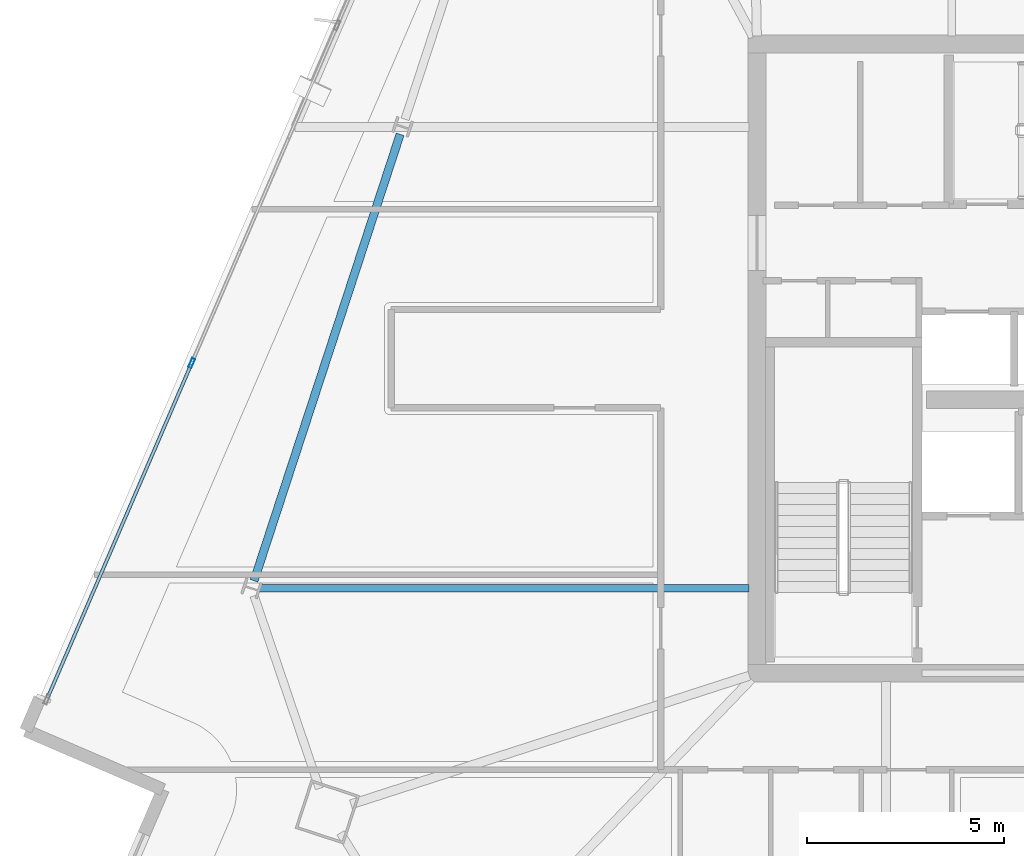
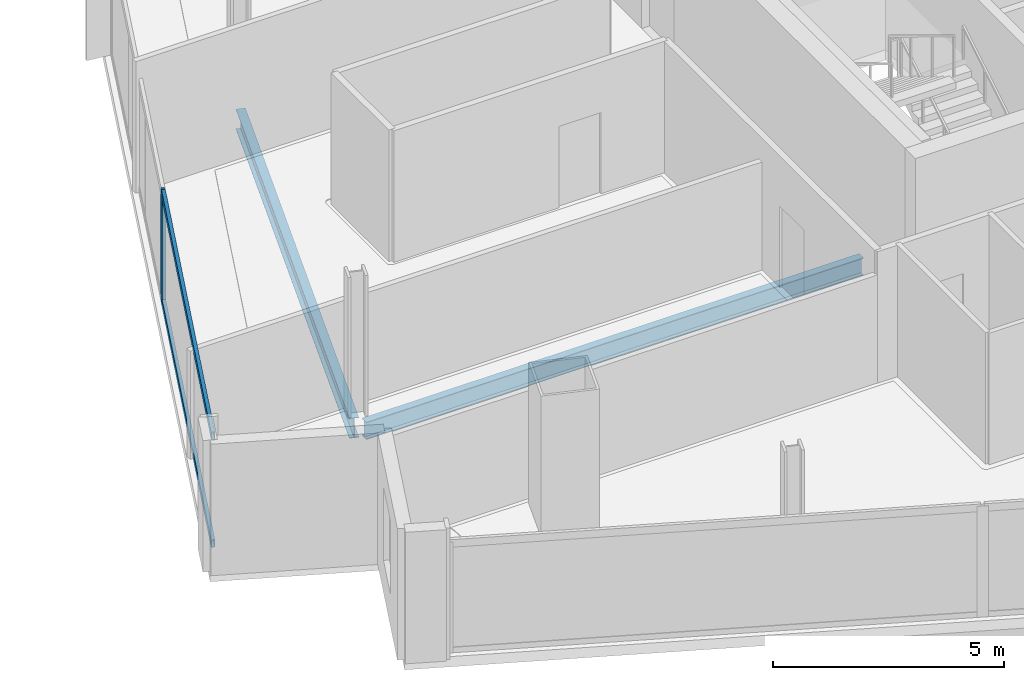
# One storey, part 6 of 28: 3 members, 2 beams, 1 element without a shape of its own.
"""IFC4 building model written with IfcOpenShell, lengths in metres."""

import ifcopenshell
import ifcopenshell.guid

model = None  # the IFC model being written
_history = None  # IfcOwnerHistory: only IFC2X3 demands one
_inside = {}  # id of a spatial element -> (the spatial element, [elements in it])
_under = {}  # id of a project, library or spatial element -> (it, [spatial elements below it])
_declared = {}  # id of a project -> (the project, [libraries it declares])
_typed = {}  # id of a type object -> (the type object, [elements of that type])
_made_of = {}  # id of a material, layer set ... -> (it, [elements and type objects made of it])


def new_model(schema):
    """Start an empty IFC model of exactly this schema.

    Asked for "IFC4X3", IfcOpenShell would pick the latest addendum, in which some entities
    have other attributes; the version numbers below select the first issue.
    IFC2X3 requires an IfcOwnerHistory on every rooted entity: one is made here for all.
    """
    global model, _history
    if schema == "IFC4X3":
        model = ifcopenshell.file(schema_version=(4, 3, 0, 0))
    else:
        model = ifcopenshell.file(schema=schema)
    _inside.clear()
    _under.clear()
    _declared.clear()
    _typed.clear()
    _made_of.clear()
    _history = None
    if model.schema == "IFC2X3":
        org = make("IfcOrganization", Name="unknown")
        user = make(
            "IfcPersonAndOrganization",
            ThePerson=make("IfcPerson", FamilyName="unknown"),
            TheOrganization=org,
        )
        app = make(
            "IfcApplication",
            ApplicationDeveloper=org,
            Version="unknown",
            ApplicationFullName="unknown",
            ApplicationIdentifier="unknown",
        )
        _history = make(
            "IfcOwnerHistory",
            OwningUser=user,
            OwningApplication=app,
            ChangeAction="ADDED",
            CreationDate=0,
        )
    return model


def make(cls, **values):
    """One entity of the class cls with the attributes given. An attribute that is None is left unset."""
    return model.create_entity(
        cls, **{name: value for name, value in values.items() if value is not None}
    )


def rooted(cls, **values):
    """An entity with a GlobalId (a new one), such as an element, a storey or a relation."""
    return make(cls, GlobalId=ifcopenshell.guid.new(), OwnerHistory=_history, **values)


def si_unit(unit_type, name, prefix=None):
    """IfcSIUnit, for example si_unit("LENGTHUNIT", "METRE", prefix="MILLI")."""
    return make("IfcSIUnit", UnitType=unit_type, Prefix=prefix, Name=name)


def assignment(units):
    """IfcUnitAssignment: the units of a project."""
    return None if units is None else make("IfcUnitAssignment", Units=units)


def point(xyz):
    """IfcCartesianPoint."""
    return None if xyz is None else make("IfcCartesianPoint", Coordinates=xyz)


def direction(xyz):
    """IfcDirection."""
    return None if xyz is None else make("IfcDirection", DirectionRatios=xyz)


def frame(location, z_axis=None, x_axis=None):
    """IfcAxis2Placement3D, a coordinate frame: its origin and axes. An axis left out is left unset."""
    return make(
        "IfcAxis2Placement3D",
        Location=point(location),
        Axis=direction(z_axis),
        RefDirection=direction(x_axis),
    )


def frame_2d(location, x_axis=None):
    """IfcAxis2Placement2D, a coordinate frame in the plane: its origin and x axis."""
    return make(
        "IfcAxis2Placement2D", Location=point(location), RefDirection=direction(x_axis)
    )


def origin():
    """The frame at (0, 0, 0) with its axes left unset."""
    return frame((0.0, 0.0, 0.0))


def origin_2d():
    """The frame at (0, 0) in the plane with its x axis left unset."""
    return frame_2d((0.0, 0.0))


def place(relative_to, where):
    """IfcLocalPlacement: puts the frame where relative to a parent placement (None: the world)."""
    return make(
        "IfcLocalPlacement", PlacementRelTo=relative_to, RelativePlacement=where
    )


def context(
    kind, dimensions, precision=None, world=None, true_north=None, identifier=None
):
    """IfcGeometricRepresentationContext, for example the 3D "Model" context."""
    return make(
        "IfcGeometricRepresentationContext",
        ContextIdentifier=identifier,
        ContextType=kind,
        CoordinateSpaceDimension=dimensions,
        Precision=precision,
        WorldCoordinateSystem=world,
        TrueNorth=true_north,
    )


def subcontext(parent, identifier, kind, view, scale=None):
    """IfcGeometricRepresentationSubContext, for example "Body" below "Model"."""
    return make(
        "IfcGeometricRepresentationSubContext",
        ContextIdentifier=identifier,
        ContextType=kind,
        ParentContext=parent,
        TargetScale=scale,
        TargetView=view,
    )


def project(units=None, contexts=None):
    """IfcProject with its units and contexts."""
    return rooted(
        "IfcProject",
        Name="project",
        RepresentationContexts=contexts,
        UnitsInContext=assignment(units),
    )


def spatial(cls, under=None, at=None, **own):
    """A site, building, storey or space (cls), placed at a placement, below another one or the project."""
    s = rooted(cls, ObjectPlacement=at, **own)
    if under is not None:
        _under.setdefault(under.id(), (under, []))[1].append(s)
    return s


def profile(cls, at=None, kind="AREA", **sizes):
    """A parametric profile (cls). Its sizes go by their IFC names, for example OverallWidth=200.0."""
    return make(cls, ProfileType=kind, Position=at, **sizes)


def hollow_rectangle(**sizes):
    """IfcRectangleHollowProfileDef."""
    return profile("IfcRectangleHollowProfileDef", **sizes)


def i_section(**sizes):
    """IfcIShapeProfileDef."""
    return profile("IfcIShapeProfileDef", **sizes)


def extrude(swept, where, along, depth):
    """IfcExtrudedAreaSolid: the profile swept, set in the frame where, extruded along a direction by depth."""
    return make(
        "IfcExtrudedAreaSolid",
        SweptArea=swept,
        Position=where,
        ExtrudedDirection=direction(along),
        Depth=depth,
    )


def shape(context_of_items, identifier, shape_type, items):
    """IfcShapeRepresentation: the items that make up one representation, for example the "Body"."""
    return make(
        "IfcShapeRepresentation",
        ContextOfItems=context_of_items,
        RepresentationIdentifier=identifier,
        RepresentationType=shape_type,
        Items=items,
    )


def material(Name=None, Category=None):
    """IfcMaterial."""
    return make("IfcMaterial", Name=Name, Category=Category)


def material_profile(
    of_material, cross_section, Name=None, Category=None, Priority=None
):
    """IfcMaterialProfile: a cross section and its material."""
    return make(
        "IfcMaterialProfile",
        Name=Name,
        Material=of_material,
        Profile=cross_section,
        Priority=Priority,
        Category=Category,
    )


def profile_set(profiles, Name=None, composite=None):
    """IfcMaterialProfileSet."""
    return make(
        "IfcMaterialProfileSet",
        Name=Name,
        MaterialProfiles=profiles,
        CompositeProfile=composite,
    )


def made_of(thing, what):
    """Note that an element or type object is made of a material, layer set ...; save() writes the relation."""
    if what is not None:
        _made_of.setdefault(what.id(), (what, []))[1].append(thing)
    return thing


def type_object(cls, material=None, **own):
    """A type object (cls), such as IfcWallType, which elements share."""
    return made_of(rooted(cls, **own), material)


def element(
    cls,
    number,
    at=None,
    inside=None,
    cuts=None,
    type_object=None,
    material=None,
    context=None,
    identifier="Body",
    shape_type=None,
    held_by="IfcProductDefinitionShape",
    body=None,
    shapes=None,
    **own,
):
    """One element of the class cls, such as IfcWall. Its Tag is "e" and its number.

    at: its placement. inside: the storey or other place that contains it. cuts: it is an
    opening in that element (IfcRelVoidsElement). A single representation is given by context,
    identifier, shape_type and body (its items); several are given by shapes. held_by: the class
    of the entity that holds the representations. save() writes the other relations.
    """
    e = rooted(cls, Tag="e%d" % number, ObjectPlacement=at, **own)
    if body is not None:
        shapes = [shape(context, identifier, shape_type, body)]
    if shapes is not None:
        e.Representation = make(held_by, Representations=shapes)
    if inside is not None:
        _inside.setdefault(inside.id(), (inside, []))[1].append(e)
    if cuts is not None:
        rooted(
            "IfcRelVoidsElement", RelatingBuildingElement=cuts, RelatedOpeningElement=e
        )
    if type_object is not None:
        _typed.setdefault(type_object.id(), (type_object, []))[1].append(e)
    return made_of(e, material)


def aggregate(whole, parts):
    """IfcRelAggregates: a whole, such as a stair, and the parts it consists of."""
    return rooted("IfcRelAggregates", RelatingObject=whole, RelatedObjects=parts)


def save(model, path):
    """Write the relations noted so far, then the file.

    IfcRelAggregates (storeys below a building ...), IfcRelContainedInSpatialStructure (elements
    in a storey), IfcRelDefinesByType, IfcRelAssociatesMaterial and IfcRelDeclares: one each for
    every whole, place, type object, material and project.
    """
    for whole, parts in _under.values():
        aggregate(whole, parts)
    for where, things in _inside.values():
        rooted(
            "IfcRelContainedInSpatialStructure",
            RelatedElements=things,
            RelatingStructure=where,
        )
    for kind, things in _typed.values():
        rooted("IfcRelDefinesByType", RelatedObjects=things, RelatingType=kind)
    for what, things in _made_of.values():
        rooted("IfcRelAssociatesMaterial", RelatedObjects=things, RelatingMaterial=what)
    for by, libraries in _declared.values():
        rooted("IfcRelDeclares", RelatingContext=by, RelatedDefinitions=libraries)
    model.write(path)


model = new_model("IFC4")

# Units and contexts
model_context = context("Model", 3, precision=1e-05, world=origin(), true_north=direction((0.0, 1.0)))
body_context = subcontext(model_context, "Body", "Model", "MODEL_VIEW")
ifc_project = project(units=[si_unit("LENGTHUNIT", "METRE"), si_unit("AREAUNIT", "SQUARE_METRE"), si_unit("VOLUMEUNIT", "CUBIC_METRE"), si_unit("PLANEANGLEUNIT", "RADIAN"), si_unit("MASSUNIT", "GRAM", prefix="KILO")], contexts=[model_context])

# Site, building, storey
site_placement = place(None, origin())
site = spatial("IfcSite", under=ifc_project, at=site_placement, CompositionType="ELEMENT")
building_placement = place(site_placement, origin())
building = spatial("IfcBuilding", under=site, at=building_placement, Name="Haldenkirk Collegiate Tower", CompositionType="ELEMENT")
storey_placement = place(building_placement, frame((0.0, 0.0, 252.449951171875)))
storey = spatial("IfcBuildingStorey", under=building, at=storey_placement, Name="L63", CompositionType="ELEMENT", Elevation=252.449951171875)

# Beams
ifc_material_1 = material(Name="Steel ASTM A992 Grade 50", Category="steel")
ifc_material_profile_1 = material_profile(ifc_material_1, i_section(OverallWidth=0.18994140625, OverallDepth=0.45703125, WebThickness=0.009033203125, FlangeThickness=0.014404296875, at=origin_2d()), Name="W18X50")
ifc_profile_set_1 = profile_set([ifc_material_profile_1], Name="Steel ASTM A992 Grade 50")
beam_type_1 = type_object("IfcBeamType", Name="BM-JOIST-W18X50", PredefinedType="JOIST", material=ifc_profile_set_1)
beam_1_placement = place(storey_placement, frame((14.35205078125, 20.157958984375, -0.49853515625), z_axis=(1.0, 0.0, 0.0), x_axis=(0.0, 1.0, 0.0)))
element("IfcBeam", 1, at=beam_1_placement, inside=storey, type_object=beam_type_1, Name="L63 composite floor joist 13", PredefinedType="JOIST", context=body_context, shape_type="SweptSolid", body=[
    extrude(i_section(OverallWidth=0.18994140625, OverallDepth=0.45703125, WebThickness=0.009033203125, FlangeThickness=0.014404296875, at=origin_2d()), origin(), (0.0, 0.0, 1.0), 12.44287109375),
])
ifc_material_profile_2 = material_profile(ifc_material_1, i_section(OverallWidth=0.2099609375, OverallDepth=0.537109375, WebThickness=0.010986328125, FlangeThickness=0.017333984375, at=origin_2d()), Name="W21X68")
ifc_profile_set_2 = profile_set([ifc_material_profile_2], Name="Steel ASTM A992 Grade 50")
beam_type_2 = type_object("IfcBeamType", Name="BM-SPANDREL-W21X68", PredefinedType="SPANDREL", material=ifc_profile_set_2)
beam_2_placement = place(storey_placement, frame((17.9267578125, 31.701171875, -0.538330078125), z_axis=(-0.311010188249, -0.950406577631, 0.0), x_axis=(0.950406577631, -0.311010188249, 0.0)))
element("IfcBeam", 2, at=beam_2_placement, inside=storey, type_object=beam_type_2, Name="L63 perimeter spandrel beam 11", PredefinedType="SPANDREL", context=body_context, shape_type="SweptSolid", body=[
    extrude(i_section(OverallWidth=0.2099609375, OverallDepth=0.537109375, WebThickness=0.010986328125, FlangeThickness=0.017333984375, at=origin_2d()), origin(), (0.0, 0.0, 1.0), 11.94287109375),
])

# Curtain wall, members
ifc_material_2 = material(Name="Anodised architectural bronze aluminium", Category="aluminium")
curtain_wall_type = type_object("IfcCurtainWallType", Name="CW-SYS1B-CONVEX-HI", PredefinedType="USERDEFINED", material=ifc_material_2)
curtain_wall_placement = place(storey_placement, origin())
curtain_wall = element("IfcCurtainWall", 3, at=curtain_wall_placement, inside=storey, type_object=curtain_wall_type, Name="L63 Upper tower high-wind convex bronze unitised curtain wall", ObjectType="UNITISED CURTAIN WALL", PredefinedType="USERDEFINED")
ifc_material_profile_3 = material_profile(ifc_material_2, hollow_rectangle(XDim=0.0849609375, YDim=0.25, WallThickness=0.0048828125, at=origin_2d()), Name="CW-MUL-1B")
ifc_profile_set_3 = profile_set([ifc_material_profile_3], Name="Anodised architectural bronze aluminium")
member_type_1 = type_object("IfcMemberType", Name="CW-MUL-1B", PredefinedType="MULLION", material=ifc_profile_set_3)
member_1_placement = place(storey_placement, frame((12.628662109375, 25.885009765625, 0.0), z_axis=(0.0, 0.0, 1.0), x_axis=(-0.918446421115, 0.395545410215, 0.0)))
member_1 = element("IfcMember", 4, at=member_1_placement, type_object=member_type_1, Name="CW-1B mullion 2", PredefinedType="MULLION", context=body_context, shape_type="SweptSolid", body=[
    extrude(hollow_rectangle(XDim=0.0849609375, YDim=0.25, WallThickness=0.0048828125, at=origin_2d()), origin(), (0.0, 0.0, 1.0), 2.93798828125),
])
ifc_material_profile_4 = material_profile(ifc_material_2, hollow_rectangle(XDim=0.0849609375, YDim=0.199951171875, WallThickness=0.0048828125, at=origin_2d()), Name="CW-TRN-1B")
ifc_profile_set_4 = profile_set([ifc_material_profile_4], Name="Anodised architectural bronze aluminium")
member_type_2 = type_object("IfcMemberType", Name="CW-TRN-1B", PredefinedType="USERDEFINED", material=ifc_profile_set_4)
member_2_placement = place(storey_placement, frame((8.9638671875, 17.375732421875, 0.04248046875), z_axis=(0.39555450261, 0.918442505258, 0.0), x_axis=(-0.918442505258, 0.39555450261, 0.0)))
member_2 = element("IfcMember", 5, at=member_2_placement, type_object=member_type_2, Name="CW-1B transom 1.1", ObjectType="TRANSOM", PredefinedType="USERDEFINED", context=body_context, shape_type="SweptSolid", body=[
    extrude(hollow_rectangle(XDim=0.0849609375, YDim=0.199951171875, WallThickness=0.0048828125, at=origin_2d()), origin(), (0.0, 0.0, 1.0), 9.222412109375),
])
member_3_placement = place(storey_placement, frame((8.9638671875, 17.375732421875, 2.8955078125), z_axis=(0.39555450261, 0.918442505258, 0.0), x_axis=(-0.918442505258, 0.39555450261, 0.0)))
member_3 = element("IfcMember", 6, at=member_3_placement, type_object=member_type_2, Name="CW-1B transom 1.2", ObjectType="TRANSOM", PredefinedType="USERDEFINED", context=body_context, shape_type="SweptSolid", body=[
    extrude(hollow_rectangle(XDim=0.0849609375, YDim=0.199951171875, WallThickness=0.0048828125, at=origin_2d()), origin(), (0.0, 0.0, 1.0), 9.222412109375),
])
aggregate(curtain_wall, [member_1, member_2, member_3])

save(model, "model.ifc")
